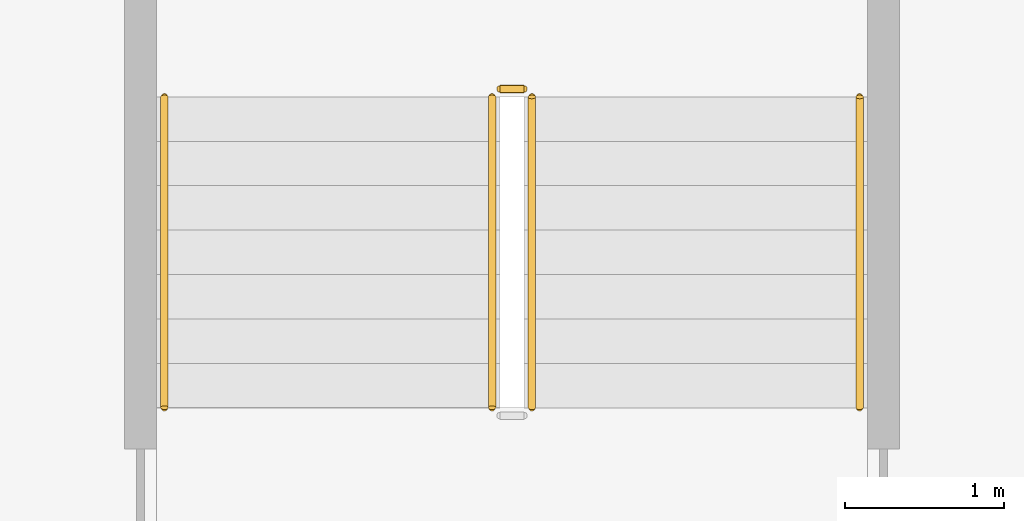
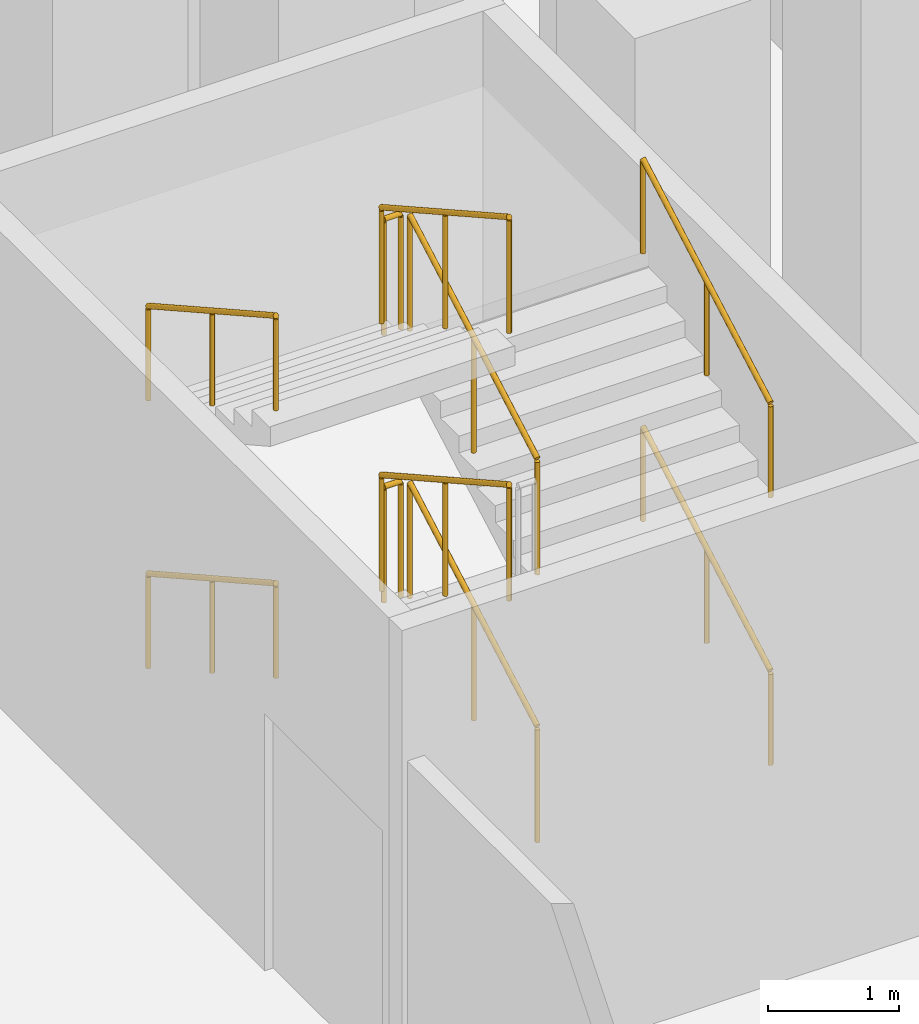
# One storey, part 24 of 24: 10 railings.
"""IFC4 building model written with IfcOpenShell, lengths in metres."""

from ifc_helpers import new_model, si_unit, direction, frame, origin, origin_2d, place, context, subcontext, project, spatial, circle, extrude, material, type_object, element, save


model = new_model("IFC4")

# Units and contexts
model_context = context("Model", 3, precision=1e-05, world=origin(), true_north=direction((0.0, 1.0)))
body_context = subcontext(model_context, "Body", "Model", "MODEL_VIEW")
ifc_project = project(units=[si_unit("LENGTHUNIT", "METRE"), si_unit("AREAUNIT", "SQUARE_METRE"), si_unit("VOLUMEUNIT", "CUBIC_METRE"), si_unit("PLANEANGLEUNIT", "RADIAN"), si_unit("MASSUNIT", "GRAM", prefix="KILO")], contexts=[model_context])

# Site, building, storey
site_placement = place(None, origin())
site = spatial("IfcSite", under=ifc_project, at=site_placement, CompositionType="ELEMENT")
building_placement = place(site_placement, origin())
building = spatial("IfcBuilding", under=site, at=building_placement, Name="Calabash Gate Tower", CompositionType="ELEMENT")
storey_placement = place(building_placement, frame((0.0, 0.0, -5.0)))
storey = spatial("IfcBuildingStorey", under=building, at=storey_placement, Name="B1", CompositionType="ELEMENT", Elevation=-5.0)

# Railings
ifc_material_1 = material(Name="Black powder-coated steel balusters", Category="steel")
railing_type_1 = type_object("IfcRailingType", Name="Stair guard RL1100", PredefinedType="GUARDRAIL", material=ifc_material_1)
railing_1_placement = place(storey_placement, frame((36.06005859375, 16.159912109375, 0.15625)))
element("IfcRailing", 1, at=railing_1_placement, inside=storey, type_object=railing_type_1, Name="B1 PS10 stair guard 1", PredefinedType="GUARDRAIL", context=body_context, shape_type="SweptSolid", body=[
    extrude(circle(Radius=0.02392578125, at=origin_2d()), frame((0.0, 0.0, 1.076171875), z_axis=(0.0, 0.87250601595, 0.488603368932), x_axis=(-1.0, 0.0, 0.0)), (0.0, 0.0, 1.0), 2.238525390625),
    extrude(circle(Radius=0.02099609375, at=origin_2d()), origin(), (0.0, 0.0, 1.0), 1.052001953125),
    extrude(circle(Radius=0.02099609375, at=origin_2d()), frame((0.0, 0.9765625, 0.546875)), (0.0, 0.0, 1.0), 1.052001953125),
    extrude(circle(Radius=0.02099609375, at=origin_2d()), frame((0.0, 1.953125, 1.09375)), (0.0, 0.0, 1.0), 1.052001953125),
])
railing_2_placement = place(storey_placement, frame((36.010009765625, 18.1630859375, 1.25)))
element("IfcRailing", 2, at=railing_2_placement, inside=storey, type_object=railing_type_1, Name="B1 PS10 stair guard 2", PredefinedType="GUARDRAIL", context=body_context, shape_type="SweptSolid", body=[
    extrude(circle(Radius=0.02392578125, at=origin_2d()), frame((0.0, 0.0, 1.076171875), z_axis=(-1.0, 0.0, 0.0), x_axis=(0.0, -1.0, 0.0)), (0.0, 0.0, 1.0), 0.14990234375),
    extrude(circle(Radius=0.02099609375, at=origin_2d()), origin(), (0.0, 0.0, 1.0), 1.052001953125),
    extrude(circle(Radius=0.02099609375, at=origin_2d()), frame((-0.14990234375, 0.0, 0.0)), (0.0, 0.0, 1.0), 1.052001953125),
])
railing_3_placement = place(storey_placement, frame((35.81005859375, 18.113037109375, 1.40625)))
element("IfcRailing", 3, at=railing_3_placement, inside=storey, type_object=railing_type_1, Name="B1 PS10 stair guard 3", PredefinedType="GUARDRAIL", context=body_context, shape_type="SweptSolid", body=[
    extrude(circle(Radius=0.02392578125, at=origin_2d()), frame((0.0, 0.0, 1.076171875), z_axis=(0.0, -0.87250601595, 0.488603368932), x_axis=(1.0, 0.0, 0.0)), (0.0, 0.0, 1.0), 2.238525390625),
    extrude(circle(Radius=0.02099609375, at=origin_2d()), origin(), (0.0, 0.0, 1.0), 1.052001953125),
    extrude(circle(Radius=0.02099609375, at=origin_2d()), frame((0.0, -0.9765625, 0.546875)), (0.0, 0.0, 1.0), 1.052001953125),
    extrude(circle(Radius=0.02099609375, at=origin_2d()), frame((0.0, -1.953125, 1.09375)), (0.0, 0.0, 1.0), 1.052001953125),
])
railing_4_placement = place(storey_placement, frame((36.06005859375, 16.159912109375, 2.65625)))
element("IfcRailing", 4, at=railing_4_placement, inside=storey, type_object=railing_type_1, Name="B1 PS10 stair guard 5", PredefinedType="GUARDRAIL", context=body_context, shape_type="SweptSolid", body=[
    extrude(circle(Radius=0.02392578125, at=origin_2d()), frame((0.0, 0.0, 1.076171875), z_axis=(0.0, 0.87250601595, 0.488603368932), x_axis=(-1.0, 0.0, 0.0)), (0.0, 0.0, 1.0), 2.238525390625),
    extrude(circle(Radius=0.02099609375, at=origin_2d()), origin(), (0.0, 0.0, 1.0), 1.052001953125),
    extrude(circle(Radius=0.02099609375, at=origin_2d()), frame((0.0, 0.9765625, 0.546875)), (0.0, 0.0, 1.0), 1.052001953125),
    extrude(circle(Radius=0.02099609375, at=origin_2d()), frame((0.0, 1.953125, 1.09375)), (0.0, 0.0, 1.0), 1.052001953125),
])
railing_5_placement = place(storey_placement, frame((36.010009765625, 18.1630859375, 3.75)))
element("IfcRailing", 5, at=railing_5_placement, inside=storey, type_object=railing_type_1, Name="B1 PS10 stair guard 6", PredefinedType="GUARDRAIL", context=body_context, shape_type="SweptSolid", body=[
    extrude(circle(Radius=0.02392578125, at=origin_2d()), frame((0.0, 0.0, 1.076171875), z_axis=(-1.0, 0.0, 0.0), x_axis=(0.0, -1.0, 0.0)), (0.0, 0.0, 1.0), 0.14990234375),
    extrude(circle(Radius=0.02099609375, at=origin_2d()), origin(), (0.0, 0.0, 1.0), 1.052001953125),
    extrude(circle(Radius=0.02099609375, at=origin_2d()), frame((-0.14990234375, 0.0, 0.0)), (0.0, 0.0, 1.0), 1.052001953125),
])
railing_6_placement = place(storey_placement, frame((35.81005859375, 18.113037109375, 3.90625)))
element("IfcRailing", 6, at=railing_6_placement, inside=storey, type_object=railing_type_1, Name="B1 PS10 stair guard 7", PredefinedType="GUARDRAIL", context=body_context, shape_type="SweptSolid", body=[
    extrude(circle(Radius=0.02392578125, at=origin_2d()), frame((0.0, 0.0, 1.076171875), z_axis=(0.0, -0.87250601595, 0.488603368932), x_axis=(1.0, 0.0, 0.0)), (0.0, 0.0, 1.0), 2.238525390625),
    extrude(circle(Radius=0.02099609375, at=origin_2d()), origin(), (0.0, 0.0, 1.0), 1.052001953125),
    extrude(circle(Radius=0.02099609375, at=origin_2d()), frame((0.0, -0.9765625, 0.546875)), (0.0, 0.0, 1.0), 1.052001953125),
    extrude(circle(Radius=0.02099609375, at=origin_2d()), frame((0.0, -1.953125, 1.09375)), (0.0, 0.0, 1.0), 1.052001953125),
])
ifc_material_2 = material(Name="Black powder-coated steel tube 48 mm", Category="steel")
railing_type_2 = type_object("IfcRailingType", Name="Stair handrail RL900", PredefinedType="HANDRAIL", material=ifc_material_2)
railing_7_placement = place(storey_placement, frame((38.1201171875, 16.159912109375, 0.15625)))
element("IfcRailing", 7, at=railing_7_placement, inside=storey, type_object=railing_type_2, Name="B1 PS10 stair handrail 1", PredefinedType="HANDRAIL", context=body_context, shape_type="SweptSolid", body=[
    extrude(circle(Radius=0.02392578125, at=origin_2d()), frame((0.0, 0.0, 0.8759765625), z_axis=(0.0, 0.87250601595, 0.488603368932), x_axis=(-1.0, 0.0, 0.0)), (0.0, 0.0, 1.0), 2.238525390625),
    extrude(circle(Radius=0.02099609375, at=origin_2d()), origin(), (0.0, 0.0, 1.0), 0.851806640625),
    extrude(circle(Radius=0.02099609375, at=origin_2d()), frame((0.0, 0.9765625, 0.546875)), (0.0, 0.0, 1.0), 0.851806640625),
    extrude(circle(Radius=0.02099609375, at=origin_2d()), frame((0.0, 1.953125, 1.09375)), (0.0, 0.0, 1.0), 0.851806640625),
])
railing_8_placement = place(storey_placement, frame((33.75, 18.113037109375, 1.40625)))
element("IfcRailing", 8, at=railing_8_placement, inside=storey, type_object=railing_type_2, Name="B1 PS10 stair handrail 2", PredefinedType="HANDRAIL", context=body_context, shape_type="SweptSolid", body=[
    extrude(circle(Radius=0.02392578125, at=origin_2d()), frame((0.0, 0.0, 0.8759765625), z_axis=(0.0, -0.87250601595, 0.488603368932), x_axis=(1.0, 0.0, 0.0)), (0.0, 0.0, 1.0), 2.238525390625),
    extrude(circle(Radius=0.02099609375, at=origin_2d()), origin(), (0.0, 0.0, 1.0), 0.851806640625),
    extrude(circle(Radius=0.02099609375, at=origin_2d()), frame((0.0, -0.9765625, 0.546875)), (0.0, 0.0, 1.0), 0.851806640625),
    extrude(circle(Radius=0.02099609375, at=origin_2d()), frame((0.0, -1.953125, 1.09375)), (0.0, 0.0, 1.0), 0.851806640625),
])
railing_9_placement = place(storey_placement, frame((38.1201171875, 16.159912109375, 2.65625)))
element("IfcRailing", 9, at=railing_9_placement, inside=storey, type_object=railing_type_2, Name="B1 PS10 stair handrail 3", PredefinedType="HANDRAIL", context=body_context, shape_type="SweptSolid", body=[
    extrude(circle(Radius=0.02392578125, at=origin_2d()), frame((0.0, 0.0, 0.8759765625), z_axis=(0.0, 0.87250601595, 0.488603368932), x_axis=(-1.0, 0.0, 0.0)), (0.0, 0.0, 1.0), 2.238525390625),
    extrude(circle(Radius=0.02099609375, at=origin_2d()), origin(), (0.0, 0.0, 1.0), 0.851806640625),
    extrude(circle(Radius=0.02099609375, at=origin_2d()), frame((0.0, 0.9765625, 0.546875)), (0.0, 0.0, 1.0), 0.851806640625),
    extrude(circle(Radius=0.02099609375, at=origin_2d()), frame((0.0, 1.953125, 1.09375)), (0.0, 0.0, 1.0), 0.851806640625),
])
railing_10_placement = place(storey_placement, frame((33.75, 18.113037109375, 3.90625)))
element("IfcRailing", 10, at=railing_10_placement, inside=storey, type_object=railing_type_2, Name="B1 PS10 stair handrail 4", PredefinedType="HANDRAIL", context=body_context, shape_type="SweptSolid", body=[
    extrude(circle(Radius=0.02392578125, at=origin_2d()), frame((0.0, 0.0, 0.8759765625), z_axis=(0.0, -0.87250601595, 0.488603368932), x_axis=(1.0, 0.0, 0.0)), (0.0, 0.0, 1.0), 2.238525390625),
    extrude(circle(Radius=0.02099609375, at=origin_2d()), origin(), (0.0, 0.0, 1.0), 0.851806640625),
    extrude(circle(Radius=0.02099609375, at=origin_2d()), frame((0.0, -0.9765625, 0.546875)), (0.0, 0.0, 1.0), 0.851806640625),
    extrude(circle(Radius=0.02099609375, at=origin_2d()), frame((0.0, -1.953125, 1.09375)), (0.0, 0.0, 1.0), 0.851806640625),
])

save(model, "model.ifc")
